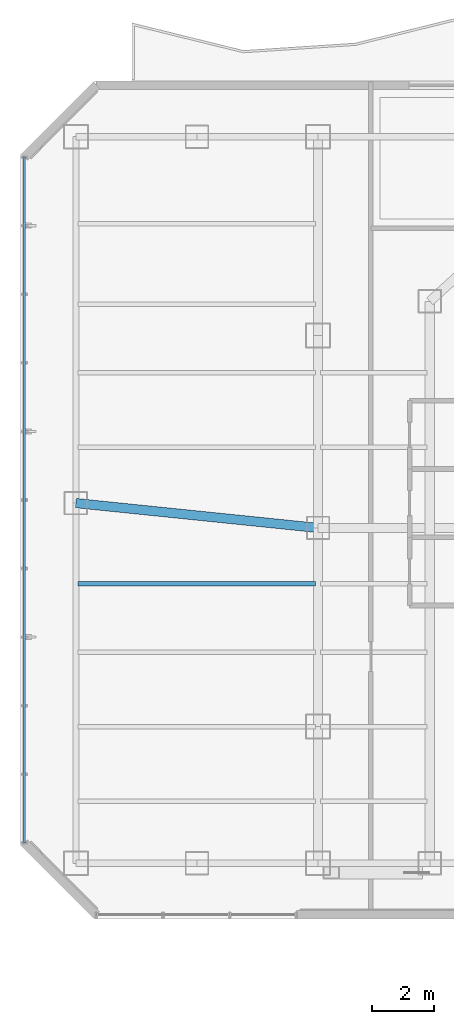
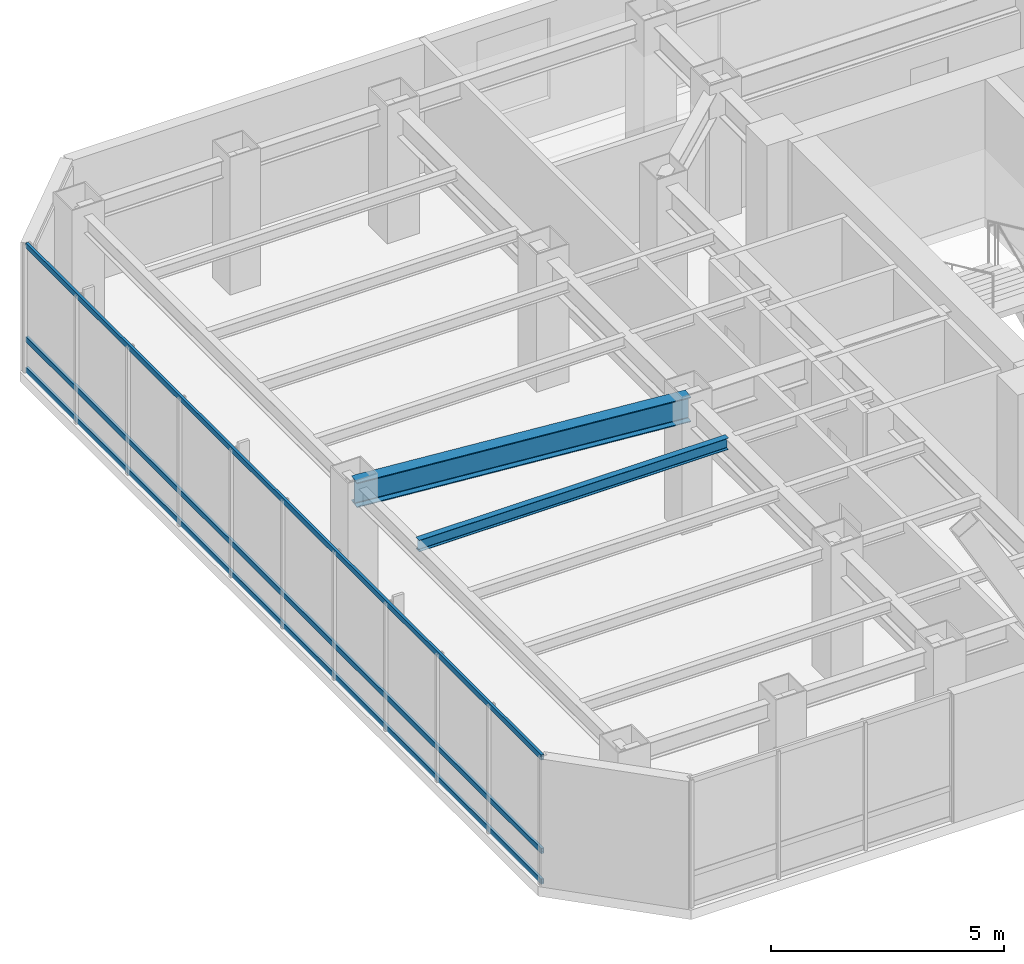
# One storey, part 7 of 28: 3 members, 2 beams, 1 element without a shape of its own.
"""IFC4 building model written with IfcOpenShell, lengths in metres."""

from ifc_helpers import new_model, si_unit, direction, frame, origin, origin_2d, place, context, subcontext, project, spatial, hollow_rectangle, i_section, extrude, material, layer, layer_set, material_profile, profile_set, type_object, element, aggregate, save


model = new_model("IFC4")

# Units and contexts
model_context = context("Model", 3, precision=1e-05, world=origin(), true_north=direction((0.0, 1.0)))
body_context = subcontext(model_context, "Body", "Model", "MODEL_VIEW")
ifc_project = project(units=[si_unit("LENGTHUNIT", "METRE"), si_unit("AREAUNIT", "SQUARE_METRE"), si_unit("VOLUMEUNIT", "CUBIC_METRE"), si_unit("PLANEANGLEUNIT", "RADIAN"), si_unit("MASSUNIT", "GRAM", prefix="KILO")], contexts=[model_context])

# Site, building, storey
site_placement = place(None, origin())
site = spatial("IfcSite", under=ifc_project, at=site_placement, CompositionType="ELEMENT")
building_placement = place(site_placement, origin())
building = spatial("IfcBuilding", under=site, at=building_placement, Name="Hatsunagi Terrace Concourse", CompositionType="ELEMENT")
storey_placement = place(building_placement, frame((0.0, 0.0, 170.85009765625)))
storey = spatial("IfcBuildingStorey", under=building, at=storey_placement, Name="L45", CompositionType="ELEMENT", Elevation=170.85009765625)

# Curtain wall, members
ifc_material_1 = material(Name="Anodised Aluminium Alloy 6063-T5", Category="aluminium")
ifc_layer = layer(ifc_material_1, 0.199951171875)
ifc_layer_set = layer_set([ifc_layer], Name="OfficeZone1_CW03")
curtain_wall_type = type_object("IfcCurtainWallType", Name="OfficeZone1_CW03", PredefinedType="NOTDEFINED", material=ifc_layer_set)
curtain_wall_placement = place(storey_placement, origin())
curtain_wall = element("IfcCurtainWall", 1, at=curtain_wall_placement, inside=storey, type_object=curtain_wall_type, Name="Unitised Curtain Wall CW-03 CW-L45-09", PredefinedType="NOTDEFINED")
ifc_material_2 = material(Name="Anodised Aluminium Alloy 6063-T5", Category="aluminium")
ifc_material_profile_1 = material_profile(ifc_material_2, hollow_rectangle(XDim=0.06494140625, YDim=0.139892578125, WallThickness=0.00390625, at=origin_2d()), Name="ALU-TRN-140x65x4")
ifc_profile_set_1 = profile_set([ifc_material_profile_1], Name="Anodised Aluminium Alloy 6063-T5")
member_type = type_object("IfcMemberType", Name="CurtainWallTransom_140x65", PredefinedType="USERDEFINED", material=ifc_profile_set_1)
member_1_placement = place(storey_placement, frame((9.739990234375, 25.85791015625, 0.0498046875), z_axis=(0.0, 1.0, 0.0), x_axis=(-1.0, 0.0, 0.0)))
member_1 = element("IfcMember", 2, at=member_1_placement, type_object=member_type, Name="Curtain Wall Transom TRN-02", ObjectType="TRANSOM", PredefinedType="USERDEFINED", context=body_context, shape_type="SweptSolid", body=[
    extrude(hollow_rectangle(XDim=0.06494140625, YDim=0.139892578125, WallThickness=0.00390625, at=origin_2d()), origin(), (0.0, 0.0, 1.0), 22.083984375),
])
member_2_placement = place(storey_placement, frame((9.739990234375, 25.85791015625, 0.849853515625), z_axis=(0.0, 1.0, 0.0), x_axis=(-1.0, 0.0, 0.0)))
member_2 = element("IfcMember", 3, at=member_2_placement, type_object=member_type, Name="Curtain Wall Transom TRN-02", ObjectType="TRANSOM", PredefinedType="USERDEFINED", context=body_context, shape_type="SweptSolid", body=[
    extrude(hollow_rectangle(XDim=0.06494140625, YDim=0.139892578125, WallThickness=0.00390625, at=origin_2d()), origin(), (0.0, 0.0, 1.0), 22.083984375),
])
member_3_placement = place(storey_placement, frame((9.739990234375, 25.85791015625, 3.2998046875), z_axis=(0.0, 1.0, 0.0), x_axis=(-1.0, 0.0, 0.0)))
member_3 = element("IfcMember", 4, at=member_3_placement, type_object=member_type, Name="Curtain Wall Transom TRN-02", ObjectType="TRANSOM", PredefinedType="USERDEFINED", context=body_context, shape_type="SweptSolid", body=[
    extrude(hollow_rectangle(XDim=0.06494140625, YDim=0.139892578125, WallThickness=0.00390625, at=origin_2d()), origin(), (0.0, 0.0, 1.0), 22.083984375),
])
aggregate(curtain_wall, [member_1, member_2, member_3])

# Beams
ifc_material_3 = material(Name="Steel SN490B", Category="steel")
ifc_material_profile_2 = material_profile(ifc_material_3, i_section(OverallWidth=0.14990234375, OverallDepth=0.300048828125, WebThickness=0.006591796875, FlangeThickness=0.009033203125, FilletRadius=0.010986328125, at=origin_2d()), Name="H-300x150x6.5x9")
ifc_profile_set_2 = profile_set([ifc_material_profile_2], Name="Steel SN490B")
beam_type_1 = type_object("IfcBeamType", Name="OfficeJoist_H_300x150", PredefinedType="JOIST", material=ifc_profile_set_2)
beam_1_placement = place(storey_placement, frame((11.465087890625, 34.199951171875, 3.199951171875), z_axis=(1.0, 0.0, 0.0), x_axis=(0.0, 1.0, 0.0)))
element("IfcBeam", 5, at=beam_1_placement, inside=storey, type_object=beam_type_1, Name="Beam J-03 J-L45-W-11-342", PredefinedType="JOIST", context=body_context, shape_type="SweptSolid", body=[
    extrude(i_section(OverallWidth=0.14990234375, OverallDepth=0.300048828125, WebThickness=0.006591796875, FlangeThickness=0.009033203125, FilletRadius=0.010986328125, at=origin_2d()), origin(), (0.0, 0.0, 1.0), 7.64990234375),
])
ifc_material_4 = material(Name="Steel SN490B", Category="steel")
ifc_material_profile_3 = material_profile(ifc_material_4, i_section(OverallWidth=0.300048828125, OverallDepth=0.64990234375, WebThickness=0.012939453125, FlangeThickness=0.02197265625, FilletRadius=0.01806640625, at=origin_2d()), Name="H-650x300x13x22")
ifc_profile_set_3 = profile_set([ifc_material_profile_3], Name="Steel SN490B")
beam_type_2 = type_object("IfcBeamType", Name="OfficeLowGirder_H_650x300", PredefinedType="BEAM", material=ifc_profile_set_3)
beam_2_placement = place(storey_placement, frame((11.39990234375, 36.800048828125, 3.02490234375), z_axis=(0.994780871372, -0.102034395927, 0.0), x_axis=(0.102034395927, 0.994780871372, 0.0)))
element("IfcBeam", 6, at=beam_2_placement, inside=storey, type_object=beam_type_2, Name="Beam G-05 BM-L45-EW-2", PredefinedType="BEAM", context=body_context, shape_type="SweptSolid", body=[
    extrude(i_section(OverallWidth=0.300048828125, OverallDepth=0.64990234375, WebThickness=0.012939453125, FlangeThickness=0.02197265625, FilletRadius=0.01806640625, at=origin_2d()), origin(), (0.0, 0.0, 1.0), 7.841064453125),
])

save(model, "model.ifc")
